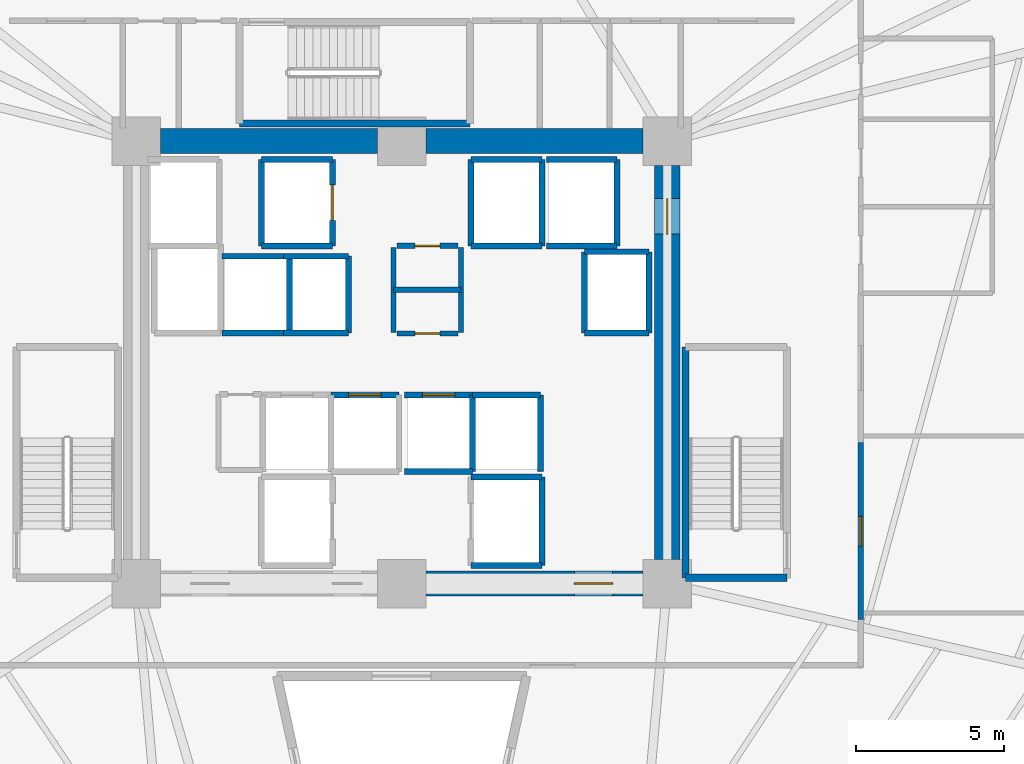
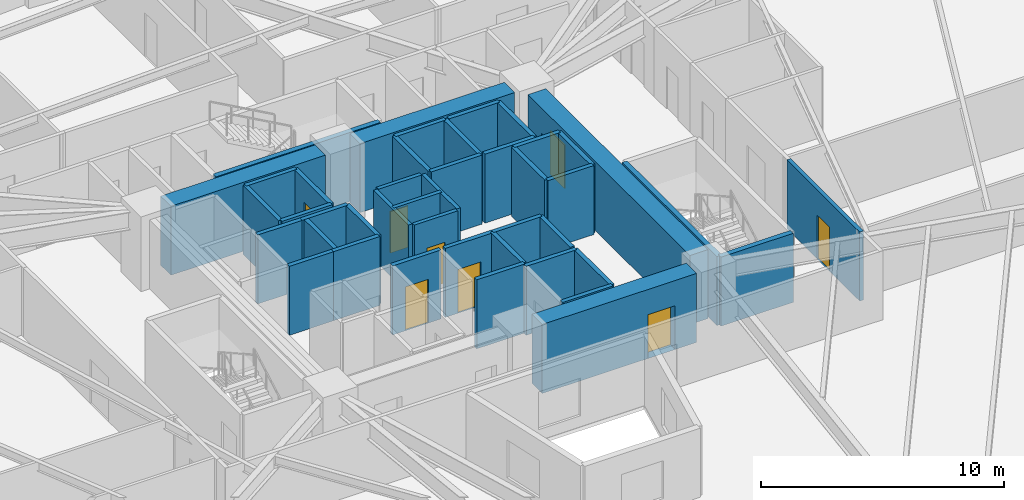
# One storey, part 5 of 8: 43 walls, 8 doors, 8 openings.
"""IFC4 building model written with IfcOpenShell, lengths in metres."""

from ifc_helpers import new_model, si_unit, direction, frame, frame_2d, origin, place, context, subcontext, project, spatial, rectangle, extrude, source, transform, mapped, material, layer, layer_set, type_object, element, fill, save


model = new_model("IFC4")

# Units and contexts
model_context = context("Model", 3, precision=1e-05, world=origin(), true_north=direction((0.0, 1.0)))
body_context = subcontext(model_context, "Body", "Model", "MODEL_VIEW")
ifc_project = project(units=[si_unit("LENGTHUNIT", "METRE"), si_unit("AREAUNIT", "SQUARE_METRE"), si_unit("VOLUMEUNIT", "CUBIC_METRE"), si_unit("PLANEANGLEUNIT", "RADIAN"), si_unit("MASSUNIT", "GRAM", prefix="KILO")], contexts=[model_context])

# Site, building, storey
site_placement = place(None, origin())
site = spatial("IfcSite", under=ifc_project, at=site_placement, CompositionType="ELEMENT")
building_placement = place(site_placement, origin())
building = spatial("IfcBuilding", under=site, at=building_placement, Name="Liaohun Quay Tower", CompositionType="ELEMENT")
storey_placement = place(building_placement, frame((0.0, 0.0, 89.25)))
storey = spatial("IfcBuildingStorey", under=building, at=storey_placement, Name="L23", CompositionType="ELEMENT", Elevation=89.25)

# Walls
ifc_material_1 = material(Name="Concrete C60", Category="concrete")
ifc_layer_1 = layer(ifc_material_1, 0.85009765625, Name="Concrete C60", Category="concrete")
ifc_layer_set_1 = layer_set([ifc_layer_1], Name="Concrete C60")
wall_type_1 = type_object("IfcWallType", Name="WAL-COR-Z1", PredefinedType="SHEAR", material=ifc_layer_set_1)
for number, where, z_axis, x_axis, name in (
    (1, (51.824951171875, 61.5, 0.0), (0.0, 0.0, 1.0), (1.0, 0.0, 0.0), "L23 Central Core Shear Wall N-W"),
    (2, (60.824951171875, 61.5, 0.0), (0.0, 0.0, 1.0), (1.0, 0.0, 0.0), "L23 Central Core Shear Wall N-E"),
):
    element("IfcWall", number, at=place(storey_placement, frame(where, z_axis=z_axis, x_axis=x_axis)), inside=storey, type_object=wall_type_1, Name=name, PredefinedType="SHEAR", context=body_context, shape_type="SweptSolid", body=[
        extrude(rectangle(XDim=7.35009765625, YDim=0.85009765625, at=frame_2d((3.675048828125, 0.0))), origin(), (0.0, 0.0, 1.0), 3.469970703125),
    ])

# Wall, opening, door
wall_1_placement = place(storey_placement, frame((69.0, 60.675048828125, 0.0), z_axis=(0.0, 0.0, 1.0), x_axis=(0.0, -1.0, 0.0)))
wall_1 = element("IfcWall", 3, at=wall_1_placement, inside=storey, type_object=wall_type_1, Name="L23 Central Core Shear Wall E", PredefinedType="SHEAR", context=body_context, shape_type="SweptSolid", body=[
    extrude(rectangle(XDim=13.35009765625, YDim=0.85009765625, at=frame_2d((6.675048828125, 0.0))), origin(), (0.0, 0.0, 1.0), 3.469970703125),
])
shared_shape_1 = source(origin(), body_context, "Body", "SweptSolid", [
    extrude(rectangle(XDim=1.199951171875, YDim=2.199951171875, at=frame_2d((0.60009765625, 1.10009765625))), frame((0.0, 0.43505859375, 0.0), z_axis=(0.0, -1.0, 0.0), x_axis=(1.0, 0.0, 0.0)), (0.0, 0.0, 1.0), 0.8701171875),
])
opening_1_placement = place(wall_1_placement, frame((1.125, 0.0, 0.0)))
opening_1 = element("IfcOpeningElement", 4, at=opening_1_placement, cuts=wall_1, Name="Opening SD1", PredefinedType="OPENING", context=body_context, shape_type="MappedRepresentation", body=[
    mapped(shared_shape_1, transform((0.0, 0.0, 0.0), x_axis=(1.0, 0.0, 0.0), y_axis=(0.0, 1.0, 0.0), z_axis=(0.0, 0.0, 1.0), scale=1.0)),
])
ifc_material_2 = material(Name="Galvanised steel fire door", Category="steel")
door_type_1 = type_object("IfcDoorType", Name="DOR-STR-1200", OperationType="NOTDEFINED", PredefinedType="DOOR", material=ifc_material_2)
shared_shape_2 = source(origin(), body_context, "Body", "SweptSolid", [
    extrude(rectangle(XDim=1.199951171875, YDim=2.199951171875, at=frame_2d((0.60009765625, 1.10009765625))), frame((0.0, 0.02490234375, 0.0), z_axis=(0.0, -1.0, 0.0), x_axis=(1.0, 0.0, 0.0)), (0.0, 0.0, 1.0), 0.050048828125),
])
door_1_placement = place(opening_1_placement, origin())
door_1 = element("IfcDoor", 5, at=door_1_placement, inside=storey, type_object=door_type_1, Name="L23 North-East Core Lobby Smokeproof Door", OperationType="SINGLE_SWING_LEFT", OverallHeight=2.199951171875, OverallWidth=1.199951171875, PredefinedType="DOOR", context=body_context, shape_type="MappedRepresentation", body=[
    mapped(shared_shape_2, transform((0.0, 0.0, 0.0), x_axis=(1.0, 0.0, 0.0), y_axis=(0.0, 1.0, 0.0), z_axis=(0.0, 0.0, 1.0), scale=1.0)),
])
fill(opening_1, door_1)

wall_2_placement = place(storey_placement, frame((68.175048828125, 46.5, 0.0), z_axis=(0.0, 0.0, 1.0), x_axis=(-1.0, 0.0, 0.0)))
wall_2 = element("IfcWall", 6, at=wall_2_placement, inside=storey, type_object=wall_type_1, Name="L23 Central Core Shear Wall S-E", PredefinedType="SHEAR", context=body_context, shape_type="SweptSolid", body=[
    extrude(rectangle(XDim=7.35009765625, YDim=0.85009765625, at=frame_2d((3.675048828125, 0.0))), origin(), (0.0, 0.0, 1.0), 3.469970703125),
])
shared_shape_3 = source(origin(), body_context, "Body", "SweptSolid", [
    extrude(rectangle(XDim=1.300048828125, YDim=2.199951171875, at=frame_2d((0.64990234375, 1.10009765625))), frame((0.0, 0.43505859375, 0.0), z_axis=(0.0, -1.0, 0.0), x_axis=(1.0, 0.0, 0.0)), (0.0, 0.0, 1.0), 0.8701171875),
])
opening_2_placement = place(wall_2_placement, frame((1.02490234375, 0.0, 0.0)))
opening_2 = element("IfcOpeningElement", 7, at=opening_2_placement, cuts=wall_2, Name="Opening FD1", PredefinedType="OPENING", context=body_context, shape_type="MappedRepresentation", body=[
    mapped(shared_shape_3, transform((0.0, 0.0, 0.0), x_axis=(1.0, 0.0, 0.0), y_axis=(0.0, 1.0, 0.0), z_axis=(0.0, 0.0, 1.0), scale=1.0)),
])
ifc_material_3 = material(Name="Galvanised steel smokeproof fire door", Category="steel")
door_type_2 = type_object("IfcDoorType", Name="DOR-FFL-1300", OperationType="NOTDEFINED", PredefinedType="DOOR", material=ifc_material_3)
shared_shape_4 = source(origin(), body_context, "Body", "SweptSolid", [
    extrude(rectangle(XDim=1.300048828125, YDim=2.199951171875, at=frame_2d((0.64990234375, 1.10009765625))), frame((0.0, 0.02490234375, 0.0), z_axis=(0.0, -1.0, 0.0), x_axis=(1.0, 0.0, 0.0)), (0.0, 0.0, 1.0), 0.050048828125),
])
door_2_placement = place(opening_2_placement, origin())
door_2 = element("IfcDoor", 8, at=door_2_placement, inside=storey, type_object=door_type_2, Name="L23 East Core Lift Lobby Smokeproof Door", OperationType="SINGLE_SWING_LEFT", OverallHeight=2.199951171875, OverallWidth=1.300048828125, PredefinedType="DOOR", context=body_context, shape_type="MappedRepresentation", body=[
    mapped(shared_shape_4, transform((0.0, 0.0, 0.0), x_axis=(1.0, 0.0, 0.0), y_axis=(0.0, 1.0, 0.0), z_axis=(0.0, 0.0, 1.0), scale=1.0)),
])
fill(opening_2, door_2)

ifc_material_4 = material(Name="Autoclaved aerated concrete blockwork", Category="masonry")
ifc_layer_2 = layer(ifc_material_4, 0.179931640625, Name="Autoclaved aerated concrete blockwork", Category="masonry")
ifc_layer_set_2 = layer_set([ifc_layer_2], Name="Autoclaved aerated concrete blockwork")
wall_type_2 = type_object("IfcWallType", Name="WAL-PRT-COR", PredefinedType="PARTITIONING", material=ifc_layer_set_2)
wall_3_placement = place(storey_placement, frame((59.840087890625, 54.97998046875, 0.0), z_axis=(0.0, 0.0, 1.0), x_axis=(1.0, 0.0, 0.0)))
wall_3 = element("IfcWall", 9, at=wall_3_placement, inside=storey, type_object=wall_type_2, Name="L23 Interior Partition Wall 001", PredefinedType="PARTITIONING", context=body_context, shape_type="SweptSolid", body=[
    extrude(rectangle(XDim=2.059814453125, YDim=0.179931640625, at=frame_2d((1.02978515625, 0.0))), origin(), (0.0, 0.0, 1.0), 3.469970703125),
])
shared_shape_5 = source(origin(), body_context, "Body", "SweptSolid", [
    extrude(rectangle(XDim=0.85009765625, YDim=2.10009765625, at=frame_2d((0.425048828125, 1.050048828125))), frame((0.0, 0.099853515625, 0.0), z_axis=(0.0, -1.0, 0.0), x_axis=(1.0, 0.0, 0.0)), (0.0, 0.0, 1.0), 0.199951171875),
])
opening_3_placement = place(wall_3_placement, frame((0.60498046875, 0.0, 0.0)))
opening_3 = element("IfcOpeningElement", 10, at=opening_3_placement, cuts=wall_3, Name="Opening AD1", PredefinedType="OPENING", context=body_context, shape_type="MappedRepresentation", body=[
    mapped(shared_shape_5, transform((0.0, 0.0, 0.0), x_axis=(1.0, 0.0, 0.0), y_axis=(0.0, 1.0, 0.0), z_axis=(0.0, 0.0, 1.0), scale=1.0)),
])
ifc_material_5 = material(Name="Steel riser inspection fire door", Category="steel")
door_type_3 = type_object("IfcDoorType", Name="DOR-SHF-850", OperationType="NOTDEFINED", PredefinedType="DOOR", material=ifc_material_5)
shared_shape_6 = source(origin(), body_context, "Body", "SweptSolid", [
    extrude(rectangle(XDim=0.85009765625, YDim=2.10009765625, at=frame_2d((0.425048828125, 1.050048828125))), frame((0.0, 0.02490234375, 0.0), z_axis=(0.0, -1.0, 0.0), x_axis=(1.0, 0.0, 0.0)), (0.0, 0.0, 1.0), 0.050048828125),
])
door_3_placement = place(opening_3_placement, origin())
door_3 = element("IfcDoor", 11, at=door_3_placement, inside=storey, type_object=door_type_3, Name="L23 Electrical Riser Room Door", OperationType="SINGLE_SWING_RIGHT", OverallHeight=2.10009765625, OverallWidth=0.85009765625, PredefinedType="DOOR", context=body_context, shape_type="MappedRepresentation", body=[
    mapped(shared_shape_6, transform((0.0, 0.0, 0.0), x_axis=(1.0, 0.0, 0.0), y_axis=(0.0, 1.0, 0.0), z_axis=(0.0, 0.0, 1.0), scale=1.0)),
])
fill(opening_3, door_3)

wall_4_placement = place(storey_placement, frame((59.840087890625, 57.949951171875, 0.0), z_axis=(0.0, 0.0, 1.0), x_axis=(1.0, 0.0, 0.0)))
wall_4 = element("IfcWall", 12, at=wall_4_placement, inside=storey, type_object=wall_type_2, Name="L23 Interior Partition Wall 002", PredefinedType="PARTITIONING", context=body_context, shape_type="SweptSolid", body=[
    extrude(rectangle(XDim=2.059814453125, YDim=0.179931640625, at=frame_2d((1.02978515625, 0.0))), origin(), (0.0, 0.0, 1.0), 3.469970703125),
])
opening_4_placement = place(wall_4_placement, frame((0.60498046875, 0.0, 0.0)))
opening_4 = element("IfcOpeningElement", 13, at=opening_4_placement, cuts=wall_4, Name="Opening AD1", PredefinedType="OPENING", context=body_context, shape_type="MappedRepresentation", body=[
    mapped(shared_shape_5, transform((0.0, 0.0, 0.0), x_axis=(1.0, 0.0, 0.0), y_axis=(0.0, 1.0, 0.0), z_axis=(0.0, 0.0, 1.0), scale=1.0)),
])
door_4_placement = place(opening_4_placement, origin())
door_4 = element("IfcDoor", 14, at=door_4_placement, inside=storey, type_object=door_type_3, Name="L23 Telecom Comms Closet Door", OperationType="SINGLE_SWING_LEFT", OverallHeight=2.10009765625, OverallWidth=0.85009765625, PredefinedType="DOOR", context=body_context, shape_type="MappedRepresentation", body=[
    mapped(shared_shape_6, transform((0.0, 0.0, 0.0), x_axis=(1.0, 0.0, 0.0), y_axis=(0.0, 1.0, 0.0), z_axis=(0.0, 0.0, 1.0), scale=1.0)),
])
fill(opening_4, door_4)

wall_5_placement = place(storey_placement, frame((75.56005859375, 51.284912109375, 0.0), z_axis=(0.0, 0.0, 1.0), x_axis=(0.0, -1.0, 0.0)))
wall_5 = element("IfcWall", 15, at=wall_5_placement, inside=storey, type_object=wall_type_2, Name="L23 Interior Partition Wall 023", PredefinedType="PARTITIONING", context=body_context, shape_type="SweptSolid", body=[
    extrude(rectangle(XDim=6.0, YDim=0.179931640625, at=frame_2d((3.0, 0.0))), origin(), (0.0, 0.0, 1.0), 3.469970703125),
])
shared_shape_7 = source(origin(), body_context, "Body", "SweptSolid", [
    extrude(rectangle(XDim=1.0, YDim=2.199951171875, at=frame_2d((0.5, 1.10009765625))), frame((0.0, 0.099853515625, 0.0), z_axis=(0.0, -1.0, 0.0), x_axis=(1.0, 0.0, 0.0)), (0.0, 0.0, 1.0), 0.199951171875),
])
opening_5_placement = place(wall_5_placement, frame((2.5, 0.0, 0.0)))
opening_5 = element("IfcOpeningElement", 16, at=opening_5_placement, cuts=wall_5, Name="Opening OD1", PredefinedType="OPENING", context=body_context, shape_type="MappedRepresentation", body=[
    mapped(shared_shape_7, transform((0.0, 0.0, 0.0), x_axis=(1.0, 0.0, 0.0), y_axis=(0.0, 1.0, 0.0), z_axis=(0.0, 0.0, 1.0), scale=1.0)),
])
ifc_material_6 = material(Name="Solid-core oak veneer timber leaf in steel frame", Category="steel")
door_type_4 = type_object("IfcDoorType", Name="DOR-OFF-1000", OperationType="NOTDEFINED", PredefinedType="DOOR", material=ifc_material_6)
shared_shape_8 = source(origin(), body_context, "Body", "SweptSolid", [
    extrude(rectangle(XDim=1.0, YDim=2.199951171875, at=frame_2d((0.5, 1.10009765625))), frame((0.0, 0.02490234375, 0.0), z_axis=(0.0, -1.0, 0.0), x_axis=(1.0, 0.0, 0.0)), (0.0, 0.0, 1.0), 0.050048828125),
])
door_5_placement = place(opening_5_placement, origin())
door_5 = element("IfcDoor", 17, at=door_5_placement, inside=storey, type_object=door_type_4, Name="L23 Open-Plan Office Workplace 10 Door", OperationType="SINGLE_SWING_RIGHT", OverallHeight=2.199951171875, OverallWidth=1.0, PredefinedType="DOOR", context=body_context, shape_type="MappedRepresentation", body=[
    mapped(shared_shape_8, transform((0.0, 0.0, 0.0), x_axis=(1.0, 0.0, 0.0), y_axis=(0.0, 1.0, 0.0), z_axis=(0.0, 0.0, 1.0), scale=1.0)),
])
fill(opening_5, door_5)

# Walls
for number, where, z_axis, x_axis, name in (
    (18, (59.719970703125, 55.02001953125, 0.0), (0.0, 0.0, 1.0), (0.0, 1.0, 0.0), "L23 Interior Partition Wall 024"),
    (19, (62.010009765625, 55.02001953125, 0.0), (0.0, 0.0, 1.0), (0.0, 1.0, 0.0), "L23 Interior Partition Wall 025"),
):
    element("IfcWall", number, at=place(storey_placement, frame(where, z_axis=z_axis, x_axis=x_axis)), inside=storey, type_object=wall_type_2, Name=name, PredefinedType="PARTITIONING", context=body_context, shape_type="SweptSolid", body=[
        extrude(rectangle(XDim=2.8798828125, YDim=0.179931640625, at=frame_2d((1.43994140625, 0.0))), origin(), (0.0, 0.0, 1.0), 3.469970703125),
    ])
wall_6_placement = place(storey_placement, frame((59.719970703125, 56.4599609375, 0.0), z_axis=(0.0, 0.0, 1.0), x_axis=(1.0, 0.0, 0.0)))
element("IfcWall", 20, at=wall_6_placement, inside=storey, type_object=wall_type_2, Name="L23 Interior Partition Wall 026", PredefinedType="PARTITIONING", context=body_context, shape_type="SweptSolid", body=[
    extrude(rectangle(XDim=2.2900390625, YDim=0.179931640625, at=frame_2d((1.14501953125, 0.0))), origin(), (0.0, 0.0, 1.0), 3.469970703125),
])
ifc_material_7 = material(Name="Concrete C50", Category="concrete")
ifc_layer_3 = layer(ifc_material_7, 0.239990234375, Name="Concrete C50", Category="concrete")
ifc_layer_set_3 = layer_set([ifc_layer_3], Name="Concrete C50")
wall_type_3 = type_object("IfcWallType", Name="WAL-SHF-200", PredefinedType="SOLIDWALL", material=ifc_layer_set_3)
wall_7_placement = place(storey_placement, frame((69.6201171875, 46.699951171875, 0.0), z_axis=(0.0, 0.0, 1.0), x_axis=(1.0, 0.0, 0.0)))
element("IfcWall", 21, at=wall_7_placement, inside=storey, type_object=wall_type_3, Name="L23 Stairwell ST-2 Structural Core Wall S", PredefinedType="SOLIDWALL", context=body_context, shape_type="SweptSolid", body=[
    extrude(rectangle(XDim=3.43994140625, YDim=0.239990234375, at=frame_2d((1.719970703125, 0.0))), origin(), (0.0, 0.0, 1.0), 3.469970703125),
])
for number, where, z_axis, x_axis, name in (
    (22, (69.6201171875, 54.52001953125, 0.0), (0.0, 0.0, 1.0), (0.0, -1.0, 0.0), "L23 Stairwell ST-2 Structural Core Wall W"),
    (23, (54.5, 62.10009765625, 0.0), (0.0, 0.0, 1.0), (1.0, 0.0, 0.0), "L23 Stairwell ST-3 Structural Core Wall S"),
):
    element("IfcWall", number, at=place(storey_placement, frame(where, z_axis=z_axis, x_axis=x_axis)), inside=storey, type_object=wall_type_3, Name=name, PredefinedType="SOLIDWALL", context=body_context, shape_type="SweptSolid", body=[
        extrude(rectangle(XDim=7.820068359375, YDim=0.239990234375, at=frame_2d((3.91015625, 0.0))), origin(), (0.0, 0.0, 1.0), 3.469970703125),
    ])
wall_8_placement = place(storey_placement, frame((62.35009765625, 47.1201171875, 0.0), z_axis=(0.0, 0.0, 1.0), x_axis=(1.0, 0.0, 0.0)))
element("IfcWall", 24, at=wall_8_placement, inside=storey, type_object=wall_type_3, Name="L23 Lift FF-02 Hoistway Wall S", PredefinedType="SOLIDWALL", context=body_context, shape_type="SweptSolid", body=[
    extrude(rectangle(XDim=2.39990234375, YDim=0.199951171875, at=frame_2d((1.199951171875, 0.0))), origin(), (0.0, 0.0, 1.0), 3.469970703125),
])
wall_9_placement = place(storey_placement, frame((64.75, 47.1201171875, 0.0), z_axis=(0.0, 0.0, 1.0), x_axis=(0.0, 1.0, 0.0)))
element("IfcWall", 25, at=wall_9_placement, inside=storey, type_object=wall_type_3, Name="L23 Lift FF-02 Hoistway Wall E", PredefinedType="SOLIDWALL", context=body_context, shape_type="SweptSolid", body=[
    extrude(rectangle(XDim=3.0, YDim=0.199951171875, at=frame_2d((1.5, 0.0))), origin(), (0.0, 0.0, 1.0), 3.469970703125),
])
for number, where, z_axis, x_axis, name in (
    (26, (64.75, 50.1201171875, 0.0), (0.0, 0.0, 1.0), (-1.0, 0.0, 0.0), "L23 Lift FF-02 Hoistway Wall N"),
    (27, (55.25, 57.949951171875, 0.0), (0.0, 0.0, 1.0), (1.0, 0.0, 0.0), "L23 Lift FF-03 Hoistway Wall S"),
):
    element("IfcWall", number, at=place(storey_placement, frame(where, z_axis=z_axis, x_axis=x_axis)), inside=storey, type_object=wall_type_3, Name=name, PredefinedType="SOLIDWALL", context=body_context, shape_type="SweptSolid", body=[
        extrude(rectangle(XDim=2.39990234375, YDim=0.199951171875, at=frame_2d((1.199951171875, 0.0))), origin(), (0.0, 0.0, 1.0), 3.469970703125),
    ])

# Wall, opening, door
wall_10_placement = place(storey_placement, frame((57.64990234375, 57.949951171875, 0.0), z_axis=(0.0, 0.0, 1.0), x_axis=(0.0, 1.0, 0.0)))
wall_10 = element("IfcWall", 28, at=wall_10_placement, inside=storey, type_object=wall_type_3, Name="L23 Lift FF-03 Hoistway Wall E", PredefinedType="SOLIDWALL", context=body_context, shape_type="SweptSolid", body=[
    extrude(rectangle(XDim=2.929931640625, YDim=0.199951171875, at=frame_2d((1.46484375, 0.0))), origin(), (0.0, 0.0, 1.0), 3.469970703125),
])
shared_shape_9 = source(origin(), body_context, "Body", "SweptSolid", [
    extrude(rectangle(XDim=1.199951171875, YDim=2.300048828125, at=frame_2d((0.60009765625, 1.14990234375))), frame((0.0, 0.10986328125, 0.0), z_axis=(0.0, -1.0, 0.0), x_axis=(1.0, 0.0, 0.0)), (0.0, 0.0, 1.0), 0.219970703125),
])
opening_6_placement = place(wall_10_placement, frame((0.864990234375, 0.0, 0.0)))
opening_6 = element("IfcOpeningElement", 29, at=opening_6_placement, cuts=wall_10, Name="Opening LD2", PredefinedType="OPENING", context=body_context, shape_type="MappedRepresentation", body=[
    mapped(shared_shape_9, transform((0.0, 0.0, 0.0), x_axis=(1.0, 0.0, 0.0), y_axis=(0.0, 1.0, 0.0), z_axis=(0.0, 0.0, 1.0), scale=1.0)),
])
ifc_material_8 = material(Name="Brushed stainless steel stretcher landing door", Category="steel")
door_type_5 = type_object("IfcDoorType", Name="DOR-LFT-1200", OperationType="SLIDING_TO_LEFT", PredefinedType="DOOR", material=ifc_material_8)
shared_shape_10 = source(origin(), body_context, "Body", "SweptSolid", [
    extrude(rectangle(XDim=1.199951171875, YDim=2.300048828125, at=frame_2d((0.60009765625, 1.14990234375))), frame((0.0, 0.02490234375, 0.0), z_axis=(0.0, -1.0, 0.0), x_axis=(1.0, 0.0, 0.0)), (0.0, 0.0, 1.0), 0.050048828125),
])
door_6_placement = place(opening_6_placement, origin())
door_6 = element("IfcDoor", 30, at=door_6_placement, inside=storey, type_object=door_type_5, Name="L23 Lift FF-03 Sliding Landing Door", OperationType="SLIDING_TO_LEFT", OverallHeight=2.300048828125, OverallWidth=1.199951171875, PredefinedType="DOOR", context=body_context, shape_type="MappedRepresentation", body=[
    mapped(shared_shape_10, transform((0.0, 0.0, 0.0), x_axis=(1.0, 0.0, 0.0), y_axis=(0.0, 1.0, 0.0), z_axis=(0.0, 0.0, 1.0), scale=1.0)),
])
fill(opening_6, door_6)

# Walls
wall_11_placement = place(storey_placement, frame((57.64990234375, 60.8798828125, 0.0), z_axis=(0.0, 0.0, 1.0), x_axis=(-1.0, 0.0, 0.0)))
element("IfcWall", 31, at=wall_11_placement, inside=storey, type_object=wall_type_3, Name="L23 Lift FF-03 Hoistway Wall N", PredefinedType="SOLIDWALL", context=body_context, shape_type="SweptSolid", body=[
    extrude(rectangle(XDim=2.39990234375, YDim=0.199951171875, at=frame_2d((1.199951171875, 0.0))), origin(), (0.0, 0.0, 1.0), 3.469970703125),
])
wall_12_placement = place(storey_placement, frame((55.25, 60.8798828125, 0.0), z_axis=(0.0, 0.0, 1.0), x_axis=(0.0, -1.0, 0.0)))
element("IfcWall", 32, at=wall_12_placement, inside=storey, type_object=wall_type_3, Name="L23 Lift FF-03 Hoistway Wall W", PredefinedType="SOLIDWALL", context=body_context, shape_type="SweptSolid", body=[
    extrude(rectangle(XDim=2.929931640625, YDim=0.199951171875, at=frame_2d((1.46484375, 0.0))), origin(), (0.0, 0.0, 1.0), 3.469970703125),
])
wall_13_placement = place(storey_placement, frame((62.35009765625, 57.949951171875, 0.0), z_axis=(0.0, 0.0, 1.0), x_axis=(1.0, 0.0, 0.0)))
element("IfcWall", 33, at=wall_13_placement, inside=storey, type_object=wall_type_3, Name="L23 Lift OB-01 Hoistway Wall S", PredefinedType="SOLIDWALL", context=body_context, shape_type="SweptSolid", body=[
    extrude(rectangle(XDim=2.39990234375, YDim=0.199951171875, at=frame_2d((1.199951171875, 0.0))), origin(), (0.0, 0.0, 1.0), 3.469970703125),
])
wall_14_placement = place(storey_placement, frame((64.75, 57.949951171875, 0.0), z_axis=(0.0, 0.0, 1.0), x_axis=(0.0, 1.0, 0.0)))
element("IfcWall", 34, at=wall_14_placement, inside=storey, type_object=wall_type_3, Name="L23 Lift OB-01 Hoistway Wall E", PredefinedType="SOLIDWALL", context=body_context, shape_type="SweptSolid", body=[
    extrude(rectangle(XDim=2.929931640625, YDim=0.199951171875, at=frame_2d((1.46484375, 0.0))), origin(), (0.0, 0.0, 1.0), 3.469970703125),
])
wall_15_placement = place(storey_placement, frame((64.75, 60.8798828125, 0.0), z_axis=(0.0, 0.0, 1.0), x_axis=(-1.0, 0.0, 0.0)))
element("IfcWall", 35, at=wall_15_placement, inside=storey, type_object=wall_type_3, Name="L23 Lift OB-01 Hoistway Wall N", PredefinedType="SOLIDWALL", context=body_context, shape_type="SweptSolid", body=[
    extrude(rectangle(XDim=2.39990234375, YDim=0.199951171875, at=frame_2d((1.199951171875, 0.0))), origin(), (0.0, 0.0, 1.0), 3.469970703125),
])
wall_16_placement = place(storey_placement, frame((62.35009765625, 60.8798828125, 0.0), z_axis=(0.0, 0.0, 1.0), x_axis=(0.0, -1.0, 0.0)))
element("IfcWall", 36, at=wall_16_placement, inside=storey, type_object=wall_type_3, Name="L23 Lift OB-01 Hoistway Wall W", PredefinedType="SOLIDWALL", context=body_context, shape_type="SweptSolid", body=[
    extrude(rectangle(XDim=2.929931640625, YDim=0.199951171875, at=frame_2d((1.46484375, 0.0))), origin(), (0.0, 0.0, 1.0), 3.469970703125),
])
wall_17_placement = place(storey_placement, frame((64.89990234375, 57.949951171875, 0.0), z_axis=(0.0, 0.0, 1.0), x_axis=(1.0, 0.0, 0.0)))
element("IfcWall", 37, at=wall_17_placement, inside=storey, type_object=wall_type_3, Name="L23 Lift OB-02 Hoistway Wall S", PredefinedType="SOLIDWALL", context=body_context, shape_type="SweptSolid", body=[
    extrude(rectangle(XDim=2.400146484375, YDim=0.199951171875, at=frame_2d((1.2001953125, 0.0))), origin(), (0.0, 0.0, 1.0), 3.469970703125),
])
wall_18_placement = place(storey_placement, frame((67.300048828125, 57.949951171875, 0.0), z_axis=(0.0, 0.0, 1.0), x_axis=(0.0, 1.0, 0.0)))
element("IfcWall", 38, at=wall_18_placement, inside=storey, type_object=wall_type_3, Name="L23 Lift OB-02 Hoistway Wall E", PredefinedType="SOLIDWALL", context=body_context, shape_type="SweptSolid", body=[
    extrude(rectangle(XDim=2.929931640625, YDim=0.199951171875, at=frame_2d((1.46484375, 0.0))), origin(), (0.0, 0.0, 1.0), 3.469970703125),
])
wall_19_placement = place(storey_placement, frame((67.300048828125, 60.8798828125, 0.0), z_axis=(0.0, 0.0, 1.0), x_axis=(-1.0, 0.0, 0.0)))
element("IfcWall", 39, at=wall_19_placement, inside=storey, type_object=wall_type_3, Name="L23 Lift OB-02 Hoistway Wall N", PredefinedType="SOLIDWALL", context=body_context, shape_type="SweptSolid", body=[
    extrude(rectangle(XDim=2.400146484375, YDim=0.199951171875, at=frame_2d((1.2001953125, 0.0))), origin(), (0.0, 0.0, 1.0), 3.469970703125),
])
wall_20_placement = place(storey_placement, frame((66.199951171875, 55.0, 0.0), z_axis=(0.0, 0.0, 1.0), x_axis=(1.0, 0.0, 0.0)))
element("IfcWall", 40, at=wall_20_placement, inside=storey, type_object=wall_type_3, Name="L23 Lift SH-03 Hoistway Wall S", PredefinedType="SOLIDWALL", context=body_context, shape_type="SweptSolid", body=[
    extrude(rectangle(XDim=2.179931640625, YDim=0.199951171875, at=frame_2d((1.08984375, 0.0))), origin(), (0.0, 0.0, 1.0), 3.469970703125),
])
wall_21_placement = place(storey_placement, frame((68.3798828125, 55.0, 0.0), z_axis=(0.0, 0.0, 1.0), x_axis=(0.0, 1.0, 0.0)))
element("IfcWall", 41, at=wall_21_placement, inside=storey, type_object=wall_type_3, Name="L23 Lift SH-03 Hoistway Wall E", PredefinedType="SOLIDWALL", context=body_context, shape_type="SweptSolid", body=[
    extrude(rectangle(XDim=2.75, YDim=0.199951171875, at=frame_2d((1.375, 0.0))), origin(), (0.0, 0.0, 1.0), 3.469970703125),
])
wall_22_placement = place(storey_placement, frame((68.3798828125, 57.75, 0.0), z_axis=(0.0, 0.0, 1.0), x_axis=(-1.0, 0.0, 0.0)))
element("IfcWall", 42, at=wall_22_placement, inside=storey, type_object=wall_type_3, Name="L23 Lift SH-03 Hoistway Wall N", PredefinedType="SOLIDWALL", context=body_context, shape_type="SweptSolid", body=[
    extrude(rectangle(XDim=2.179931640625, YDim=0.199951171875, at=frame_2d((1.08984375, 0.0))), origin(), (0.0, 0.0, 1.0), 3.469970703125),
])
wall_23_placement = place(storey_placement, frame((66.199951171875, 57.75, 0.0), z_axis=(0.0, 0.0, 1.0), x_axis=(0.0, -1.0, 0.0)))
element("IfcWall", 43, at=wall_23_placement, inside=storey, type_object=wall_type_3, Name="L23 Lift SH-03 Hoistway Wall W", PredefinedType="SOLIDWALL", context=body_context, shape_type="SweptSolid", body=[
    extrude(rectangle(XDim=2.75, YDim=0.199951171875, at=frame_2d((1.375, 0.0))), origin(), (0.0, 0.0, 1.0), 3.469970703125),
])

# Wall, opening, door
wall_24_placement = place(storey_placement, frame((59.89990234375, 52.89990234375, 0.0), z_axis=(0.0, 0.0, 1.0), x_axis=(-1.0, 0.0, 0.0)))
wall_24 = element("IfcWall", 44, at=wall_24_placement, inside=storey, type_object=wall_type_3, Name="L23 Lift PL-1B Hoistway Wall N", PredefinedType="SOLIDWALL", context=body_context, shape_type="SweptSolid", body=[
    extrude(rectangle(XDim=2.2998046875, YDim=0.199951171875, at=frame_2d((1.14990234375, 0.0))), origin(), (0.0, 0.0, 1.0), 3.469970703125),
])
shared_shape_11 = source(origin(), body_context, "Body", "SweptSolid", [
    extrude(rectangle(XDim=1.10009765625, YDim=2.199951171875, at=frame_2d((0.550048828125, 1.10009765625))), frame((0.0, 0.10986328125, 0.0), z_axis=(0.0, -1.0, 0.0), x_axis=(1.0, 0.0, 0.0)), (0.0, 0.0, 1.0), 0.219970703125),
])
opening_7_placement = place(wall_24_placement, frame((0.60009765625, 0.0, 0.0)))
opening_7 = element("IfcOpeningElement", 45, at=opening_7_placement, cuts=wall_24, Name="Opening LD1", PredefinedType="OPENING", context=body_context, shape_type="MappedRepresentation", body=[
    mapped(shared_shape_11, transform((0.0, 0.0, 0.0), x_axis=(1.0, 0.0, 0.0), y_axis=(0.0, 1.0, 0.0), z_axis=(0.0, 0.0, 1.0), scale=1.0)),
])
ifc_material_9 = material(Name="Brushed stainless steel landing door", Category="steel")
door_type_6 = type_object("IfcDoorType", Name="DOR-LFT-1100", OperationType="SLIDING_TO_LEFT", PredefinedType="DOOR", material=ifc_material_9)
shared_shape_12 = source(origin(), body_context, "Body", "SweptSolid", [
    extrude(rectangle(XDim=1.10009765625, YDim=2.199951171875, at=frame_2d((0.550048828125, 1.10009765625))), frame((0.0, 0.02490234375, 0.0), z_axis=(0.0, -1.0, 0.0), x_axis=(1.0, 0.0, 0.0)), (0.0, 0.0, 1.0), 0.050048828125),
])
door_7_placement = place(opening_7_placement, origin())
door_7 = element("IfcDoor", 46, at=door_7_placement, inside=storey, type_object=door_type_6, Name="L23 Lift PL-1B Sliding Landing Door", OperationType="SLIDING_TO_LEFT", OverallHeight=2.199951171875, OverallWidth=1.10009765625, PredefinedType="DOOR", context=body_context, shape_type="MappedRepresentation", body=[
    mapped(shared_shape_12, transform((0.0, 0.0, 0.0), x_axis=(1.0, 0.0, 0.0), y_axis=(0.0, 1.0, 0.0), z_axis=(0.0, 0.0, 1.0), scale=1.0)),
])
fill(opening_7, door_7)

# Walls
wall_25_placement = place(storey_placement, frame((60.10009765625, 50.300048828125, 0.0), z_axis=(0.0, 0.0, 1.0), x_axis=(1.0, 0.0, 0.0)))
element("IfcWall", 47, at=wall_25_placement, inside=storey, type_object=wall_type_3, Name="L23 Lift PL-1C Hoistway Wall S", PredefinedType="SOLIDWALL", context=body_context, shape_type="SweptSolid", body=[
    extrude(rectangle(XDim=2.2998046875, YDim=0.199951171875, at=frame_2d((1.14990234375, 0.0))), origin(), (0.0, 0.0, 1.0), 3.469970703125),
])
wall_26_placement = place(storey_placement, frame((62.39990234375, 50.300048828125, 0.0), z_axis=(0.0, 0.0, 1.0), x_axis=(0.0, 1.0, 0.0)))
element("IfcWall", 48, at=wall_26_placement, inside=storey, type_object=wall_type_3, Name="L23 Lift PL-1C Hoistway Wall E", PredefinedType="SOLIDWALL", context=body_context, shape_type="SweptSolid", body=[
    extrude(rectangle(XDim=2.599853515625, YDim=0.199951171875, at=frame_2d((1.2998046875, 0.0))), origin(), (0.0, 0.0, 1.0), 3.469970703125),
])

# Wall, opening, door
wall_27_placement = place(storey_placement, frame((62.39990234375, 52.89990234375, 0.0), z_axis=(0.0, 0.0, 1.0), x_axis=(-1.0, 0.0, 0.0)))
wall_27 = element("IfcWall", 49, at=wall_27_placement, inside=storey, type_object=wall_type_3, Name="L23 Lift PL-1C Hoistway Wall N", PredefinedType="SOLIDWALL", context=body_context, shape_type="SweptSolid", body=[
    extrude(rectangle(XDim=2.2998046875, YDim=0.199951171875, at=frame_2d((1.14990234375, 0.0))), origin(), (0.0, 0.0, 1.0), 3.469970703125),
])
opening_8_placement = place(wall_27_placement, frame((0.60009765625, 0.0, 0.0)))
opening_8 = element("IfcOpeningElement", 50, at=opening_8_placement, cuts=wall_27, Name="Opening LD1", PredefinedType="OPENING", context=body_context, shape_type="MappedRepresentation", body=[
    mapped(shared_shape_11, transform((0.0, 0.0, 0.0), x_axis=(1.0, 0.0, 0.0), y_axis=(0.0, 1.0, 0.0), z_axis=(0.0, 0.0, 1.0), scale=1.0)),
])
door_8_placement = place(opening_8_placement, origin())
door_8 = element("IfcDoor", 51, at=door_8_placement, inside=storey, type_object=door_type_6, Name="L23 Lift PL-1C Sliding Landing Door", OperationType="SLIDING_TO_LEFT", OverallHeight=2.199951171875, OverallWidth=1.10009765625, PredefinedType="DOOR", context=body_context, shape_type="MappedRepresentation", body=[
    mapped(shared_shape_12, transform((0.0, 0.0, 0.0), x_axis=(1.0, 0.0, 0.0), y_axis=(0.0, 1.0, 0.0), z_axis=(0.0, 0.0, 1.0), scale=1.0)),
])
fill(opening_8, door_8)

# Walls
wall_28_placement = place(storey_placement, frame((64.699951171875, 50.300048828125, 0.0), z_axis=(0.0, 0.0, 1.0), x_axis=(0.0, 1.0, 0.0)))
element("IfcWall", 52, at=wall_28_placement, inside=storey, type_object=wall_type_3, Name="L23 Lift PL-2A Hoistway Wall E", PredefinedType="SOLIDWALL", context=body_context, shape_type="SweptSolid", body=[
    extrude(rectangle(XDim=2.599853515625, YDim=0.199951171875, at=frame_2d((1.2998046875, 0.0))), origin(), (0.0, 0.0, 1.0), 3.469970703125),
])
for number, where, z_axis, x_axis, name in (
    (53, (64.699951171875, 52.89990234375, 0.0), (0.0, 0.0, 1.0), (-1.0, 0.0, 0.0), "L23 Lift PL-2A Hoistway Wall N"),
    (54, (53.89990234375, 55.0, 0.0), (0.0, 0.0, 1.0), (1.0, 0.0, 0.0), "L23 Lift PL-2B Hoistway Wall S"),
):
    element("IfcWall", number, at=place(storey_placement, frame(where, z_axis=z_axis, x_axis=x_axis)), inside=storey, type_object=wall_type_3, Name=name, PredefinedType="SOLIDWALL", context=body_context, shape_type="SweptSolid", body=[
        extrude(rectangle(XDim=2.300048828125, YDim=0.199951171875, at=frame_2d((1.14990234375, 0.0))), origin(), (0.0, 0.0, 1.0), 3.469970703125),
    ])
wall_29_placement = place(storey_placement, frame((56.199951171875, 55.0, 0.0), z_axis=(0.0, 0.0, 1.0), x_axis=(0.0, 1.0, 0.0)))
element("IfcWall", 55, at=wall_29_placement, inside=storey, type_object=wall_type_3, Name="L23 Lift PL-2B Hoistway Wall E", PredefinedType="SOLIDWALL", context=body_context, shape_type="SweptSolid", body=[
    extrude(rectangle(XDim=2.60009765625, YDim=0.199951171875, at=frame_2d((1.300048828125, 0.0))), origin(), (0.0, 0.0, 1.0), 3.469970703125),
])
wall_30_placement = place(storey_placement, frame((56.199951171875, 57.60009765625, 0.0), z_axis=(0.0, 0.0, 1.0), x_axis=(-1.0, 0.0, 0.0)))
element("IfcWall", 56, at=wall_30_placement, inside=storey, type_object=wall_type_3, Name="L23 Lift PL-2B Hoistway Wall N", PredefinedType="SOLIDWALL", context=body_context, shape_type="SweptSolid", body=[
    extrude(rectangle(XDim=2.300048828125, YDim=0.199951171875, at=frame_2d((1.14990234375, 0.0))), origin(), (0.0, 0.0, 1.0), 3.469970703125),
])
wall_31_placement = place(storey_placement, frame((56.0, 55.0, 0.0), z_axis=(0.0, 0.0, 1.0), x_axis=(1.0, 0.0, 0.0)))
element("IfcWall", 57, at=wall_31_placement, inside=storey, type_object=wall_type_3, Name="L23 Lift PL-2C Hoistway Wall S", PredefinedType="SOLIDWALL", context=body_context, shape_type="SweptSolid", body=[
    extrude(rectangle(XDim=2.199951171875, YDim=0.199951171875, at=frame_2d((1.10009765625, 0.0))), origin(), (0.0, 0.0, 1.0), 3.469970703125),
])
wall_32_placement = place(storey_placement, frame((58.199951171875, 55.0, 0.0), z_axis=(0.0, 0.0, 1.0), x_axis=(0.0, 1.0, 0.0)))
element("IfcWall", 58, at=wall_32_placement, inside=storey, type_object=wall_type_3, Name="L23 Lift PL-2C Hoistway Wall E", PredefinedType="SOLIDWALL", context=body_context, shape_type="SweptSolid", body=[
    extrude(rectangle(XDim=2.60009765625, YDim=0.199951171875, at=frame_2d((1.300048828125, 0.0))), origin(), (0.0, 0.0, 1.0), 3.469970703125),
])
wall_33_placement = place(storey_placement, frame((58.199951171875, 57.60009765625, 0.0), z_axis=(0.0, 0.0, 1.0), x_axis=(-1.0, 0.0, 0.0)))
element("IfcWall", 59, at=wall_33_placement, inside=storey, type_object=wall_type_3, Name="L23 Lift PL-2C Hoistway Wall N", PredefinedType="SOLIDWALL", context=body_context, shape_type="SweptSolid", body=[
    extrude(rectangle(XDim=2.199951171875, YDim=0.199951171875, at=frame_2d((1.10009765625, 0.0))), origin(), (0.0, 0.0, 1.0), 3.469970703125),
])

save(model, "model.ifc")
